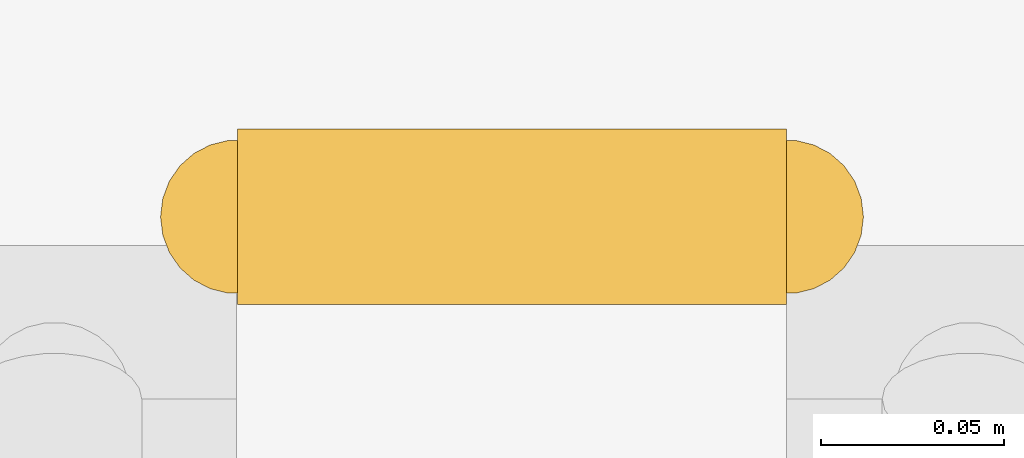
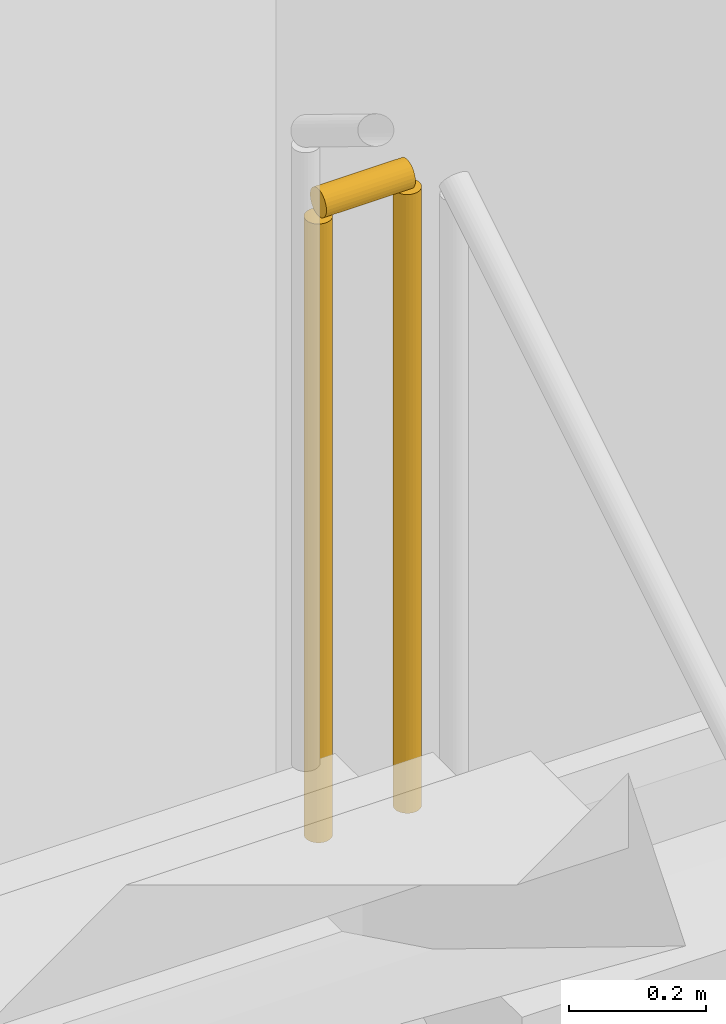
# One storey, part 7 of 10: 1 railing.
"""IFC4 building model written with IfcOpenShell, lengths in metres."""

from ifc_helpers import new_model, si_unit, direction, frame, origin, origin_2d, place, context, subcontext, project, spatial, circle, extrude, material, type_object, element, save


model = new_model("IFC4")

# Units and contexts
model_context = context("Model", 3, precision=1e-05, world=origin(), true_north=direction((0.0, 1.0)))
body_context = subcontext(model_context, "Body", "Model", "MODEL_VIEW")
ifc_project = project(units=[si_unit("LENGTHUNIT", "METRE"), si_unit("AREAUNIT", "SQUARE_METRE"), si_unit("VOLUMEUNIT", "CUBIC_METRE"), si_unit("PLANEANGLEUNIT", "RADIAN"), si_unit("MASSUNIT", "GRAM", prefix="KILO")], contexts=[model_context])

# Site, building, storey
site_placement = place(None, origin())
site = spatial("IfcSite", under=ifc_project, at=site_placement, CompositionType="ELEMENT")
building_placement = place(site_placement, origin())
building = spatial("IfcBuilding", under=site, at=building_placement, Name="Nhamokura Convention Tower", CompositionType="ELEMENT")
storey_placement = place(building_placement, frame((0.0, 0.0, 252.35009765625)))
storey = spatial("IfcBuildingStorey", under=building, at=storey_placement, Name="L62", CompositionType="ELEMENT", Elevation=252.35009765625)

# Railing
ifc_material = material(Name="Painted tubular steel", Category="steel")
railing_type = type_object("IfcRailingType", Name="StairWellGuardrail_1150", PredefinedType="GUARDRAIL", material=ifc_material)
railing_placement = place(storey_placement, frame((23.25, 27.139892578125, 2.625)))
element("IfcRailing", 1, at=railing_placement, inside=storey, type_object=railing_type, Name="L62 ST-01 stair guard 2", PredefinedType="GUARDRAIL", context=body_context, shape_type="SweptSolid", body=[
    extrude(circle(Radius=0.02392578125, at=origin_2d()), frame((0.0, 0.0, 1.1259765625), z_axis=(-1.0, 0.0, 0.0), x_axis=(0.0, -1.0, 0.0)), (0.0, 0.0, 1.0), 0.14990234375),
    extrude(circle(Radius=0.02099609375, at=origin_2d()), origin(), (0.0, 0.0, 1.0), 1.101806640625),
    extrude(circle(Radius=0.02099609375, at=origin_2d()), frame((-0.14990234375, 0.0, 0.0)), (0.0, 0.0, 1.0), 1.101806640625),
])

save(model, "model.ifc")
